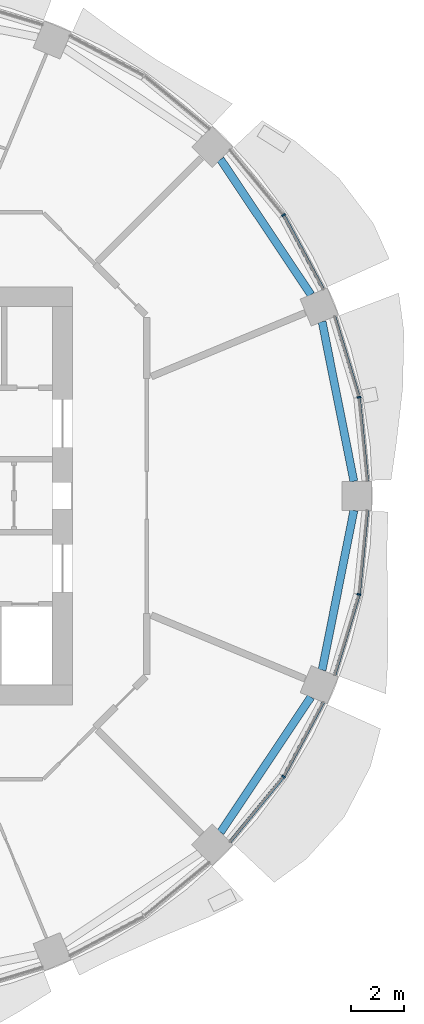
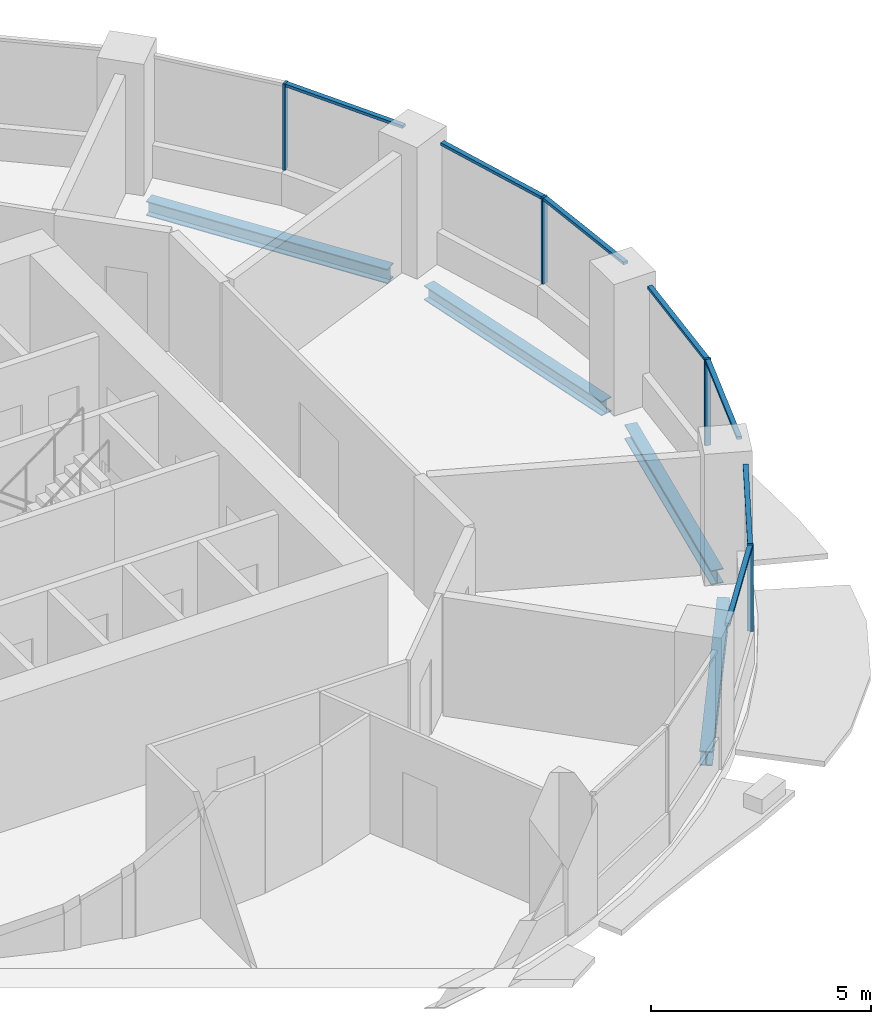
# One storey, part 4 of 14: 11 members, 4 beams, 4 elements without a shape of their own.
"""IFC4 building model written with IfcOpenShell, lengths in metres."""

from ifc_helpers import new_model, si_unit, direction, frame, origin, origin_2d, place, context, subcontext, project, spatial, rectangle, i_section, extrude, material, material_profile, profile_set, type_object, element, aggregate, save


model = new_model("IFC4")

# Units and contexts
model_context = context("Model", 3, precision=1e-05, world=origin(), true_north=direction((0.0, 1.0)))
body_context = subcontext(model_context, "Body", "Model", "MODEL_VIEW")
ifc_project = project(units=[si_unit("LENGTHUNIT", "METRE"), si_unit("AREAUNIT", "SQUARE_METRE"), si_unit("VOLUMEUNIT", "CUBIC_METRE"), si_unit("PLANEANGLEUNIT", "RADIAN"), si_unit("MASSUNIT", "GRAM", prefix="KILO")], contexts=[model_context])

# Site, building, storey
site_placement = place(None, origin())
site = spatial("IfcSite", under=ifc_project, at=site_placement, CompositionType="ELEMENT")
building_placement = place(site_placement, origin())
building = spatial("IfcBuilding", under=site, at=building_placement, Name="Polderwave Tower", CompositionType="ELEMENT")
storey_placement = place(building_placement, frame((0.0, 0.0, 112.89990234375)))
storey = spatial("IfcBuildingStorey", under=building, at=storey_placement, Name="L29", CompositionType="ELEMENT", Elevation=112.89990234375)

# Curtain wall, member
ifc_material_1 = material(Name="Aluminium 6063-T6 and glass", Category="aluminium")
curtain_wall_type = type_object("IfcCurtainWallType", Name="Growing floor ribbon glazing wall", PredefinedType="NOTDEFINED", material=ifc_material_1)
curtain_wall_1_placement = place(storey_placement, origin())
curtain_wall_1 = element("IfcCurtainWall", 1, at=curtain_wall_1_placement, inside=storey, type_object=curtain_wall_type, Name="CW2 L29 00", PredefinedType="NOTDEFINED")
ifc_material_2 = material(Name="Aluminium 6063-T6", Category="aluminium")
ifc_material_profile_1 = material_profile(ifc_material_2, rectangle(XDim=0.14990234375, YDim=0.06005859375, at=origin_2d()), Name="AL 60x150")
ifc_profile_set_1 = profile_set([ifc_material_profile_1], Name="Aluminium 6063-T6")
member_type_1 = type_object("IfcMemberType", Name="Growing floor ribbon glazing mullion 60x150", PredefinedType="MULLION", material=ifc_profile_set_1)
member_1_placement = place(storey_placement, frame((18.6640625, 3.712890625, 0.900146484375), z_axis=(0.0, 0.0, 1.0), x_axis=(-0.980784939905, -0.195092033809, 0.0)))
member_1 = element("IfcMember", 2, at=member_1_placement, type_object=member_type_1, Name="CW2 mullion 1", PredefinedType="MULLION", context=body_context, shape_type="SweptSolid", body=[
    extrude(rectangle(XDim=0.14990234375, YDim=0.06005859375, at=origin_2d()), origin(), (0.0, 0.0, 1.0), 2.39990234375),
])

curtain_wall_2_placement = place(storey_placement, origin())
curtain_wall_2 = element("IfcCurtainWall", 3, at=curtain_wall_2_placement, inside=storey, type_object=curtain_wall_type, Name="CW2 L29 01", PredefinedType="NOTDEFINED")
member_2_placement = place(storey_placement, frame((15.822998046875, 10.572998046875, 0.900146484375), z_axis=(0.0, 0.0, 1.0), x_axis=(-0.831459915646, -0.555584744817, 0.0)))
member_2 = element("IfcMember", 4, at=member_2_placement, type_object=member_type_1, Name="CW2 mullion 1", PredefinedType="MULLION", context=body_context, shape_type="SweptSolid", body=[
    extrude(rectangle(XDim=0.14990234375, YDim=0.06005859375, at=origin_2d()), origin(), (0.0, 0.0, 1.0), 2.39990234375),
])

curtain_wall_3_placement = place(storey_placement, origin())
curtain_wall_3 = element("IfcCurtainWall", 5, at=curtain_wall_3_placement, inside=storey, type_object=curtain_wall_type, Name="CW2 L29 14", PredefinedType="NOTDEFINED")
member_3_placement = place(storey_placement, frame((15.822998046875, -10.572998046875, 0.900146484375), z_axis=(0.0, 0.0, 1.0), x_axis=(-0.831459915646, 0.555584744817, 0.0)))
member_3 = element("IfcMember", 6, at=member_3_placement, type_object=member_type_1, Name="CW2 mullion 1", PredefinedType="MULLION", context=body_context, shape_type="SweptSolid", body=[
    extrude(rectangle(XDim=0.14990234375, YDim=0.06005859375, at=origin_2d()), origin(), (0.0, 0.0, 1.0), 2.39990234375),
])

curtain_wall_4_placement = place(storey_placement, origin())
curtain_wall_4 = element("IfcCurtainWall", 7, at=curtain_wall_4_placement, inside=storey, type_object=curtain_wall_type, Name="CW2 L29 15", PredefinedType="NOTDEFINED")
member_4_placement = place(storey_placement, frame((18.6640625, -3.712890625, 0.900146484375), z_axis=(0.0, 0.0, 1.0), x_axis=(-0.980784939905, 0.195092033809, 0.0)))
member_4 = element("IfcMember", 8, at=member_4_placement, type_object=member_type_1, Name="CW2 mullion 1", PredefinedType="MULLION", context=body_context, shape_type="SweptSolid", body=[
    extrude(rectangle(XDim=0.14990234375, YDim=0.06005859375, at=origin_2d()), origin(), (0.0, 0.0, 1.0), 2.39990234375),
])

# Member
ifc_material_profile_2 = material_profile(ifc_material_2, rectangle(XDim=0.1201171875, YDim=0.080078125, at=origin_2d()), Name="AL 80x120")
ifc_profile_set_2 = profile_set([ifc_material_profile_2], Name="Aluminium 6063-T6")
member_type_2 = type_object("IfcMemberType", Name="Growing floor ribbon glazing transom 80x120", PredefinedType="USERDEFINED", material=ifc_profile_set_2)
member_5_placement = place(storey_placement, frame((18.97607421875, 0.550048828125, 3.260009765625), z_axis=(-0.098175338745, 0.995169132792, 0.0), x_axis=(-0.995169132792, -0.098175338745, 0.0)))
member_5 = element("IfcMember", 9, at=member_5_placement, type_object=member_type_2, Name="CW2 transom 1", ObjectType="TRANSOM", PredefinedType="USERDEFINED", context=body_context, shape_type="SweptSolid", body=[
    extrude(rectangle(XDim=0.1201171875, YDim=0.080078125, at=origin_2d()), origin(), (0.0, 0.0, 1.0), 3.148193359375),
])

member_6_placement = place(storey_placement, frame((18.6552734375, 3.74169921875, 3.260009765625), z_axis=(-0.290164540356, 0.956976770627, 0.0), x_axis=(-0.956976770627, -0.290164540356, 0.0)))
member_6 = element("IfcMember", 10, at=member_6_placement, type_object=member_type_2, Name="CW2 transom 2", ObjectType="TRANSOM", PredefinedType="USERDEFINED", context=body_context, shape_type="SweptSolid", body=[
    extrude(rectangle(XDim=0.1201171875, YDim=0.080078125, at=origin_2d()), origin(), (0.0, 0.0, 1.0), 3.147705078125),
])

aggregate(curtain_wall_1, [member_1, member_5, member_6])

member_7_placement = place(storey_placement, frame((17.321044921875, 7.77001953125, 3.260009765625), z_axis=(-0.471368950997, 0.88193611562, 0.0), x_axis=(-0.88193611562, -0.471368950997, 0.0)))
member_7 = element("IfcMember", 11, at=member_7_placement, type_object=member_type_2, Name="CW2 transom 1", ObjectType="TRANSOM", PredefinedType="USERDEFINED", context=body_context, shape_type="SweptSolid", body=[
    extrude(rectangle(XDim=0.1201171875, YDim=0.080078125, at=origin_2d()), origin(), (0.0, 0.0, 1.0), 3.14794921875),
])

aggregate(curtain_wall_2, [member_2, member_7])

member_8_placement = place(storey_placement, frame((13.806884765625, -13.029052734375, 3.260009765625), z_axis=(0.634483003965, 0.77293681351, 0.0), x_axis=(-0.77293681351, 0.634483003965, 0.0)))
member_8 = element("IfcMember", 12, at=member_8_placement, type_object=member_type_2, Name="CW2 transom 1", ObjectType="TRANSOM", PredefinedType="USERDEFINED", context=body_context, shape_type="SweptSolid", body=[
    extrude(rectangle(XDim=0.1201171875, YDim=0.080078125, at=origin_2d()), origin(), (0.0, 0.0, 1.0), 3.1474609375),
])

member_9_placement = place(storey_placement, frame((15.837158203125, -10.54638671875, 3.260009765625), z_axis=(0.471368950997, 0.88193611562, 0.0), x_axis=(-0.88193611562, 0.471368950997, 0.0)))
member_9 = element("IfcMember", 13, at=member_9_placement, type_object=member_type_2, Name="CW2 transom 2", ObjectType="TRANSOM", PredefinedType="USERDEFINED", context=body_context, shape_type="SweptSolid", body=[
    extrude(rectangle(XDim=0.1201171875, YDim=0.080078125, at=origin_2d()), origin(), (0.0, 0.0, 1.0), 3.14794921875),
])

aggregate(curtain_wall_3, [member_3, member_8, member_9])

member_10_placement = place(storey_placement, frame((17.741943359375, -6.75390625, 3.260009765625), z_axis=(0.290164540356, 0.956976770627, 0.0), x_axis=(-0.956976770627, 0.290164540356, 0.0)))
member_10 = element("IfcMember", 14, at=member_10_placement, type_object=member_type_2, Name="CW2 transom 1", ObjectType="TRANSOM", PredefinedType="USERDEFINED", context=body_context, shape_type="SweptSolid", body=[
    extrude(rectangle(XDim=0.1201171875, YDim=0.080078125, at=origin_2d()), origin(), (0.0, 0.0, 1.0), 3.147705078125),
])

member_11_placement = place(storey_placement, frame((18.6669921875, -3.68310546875, 3.260009765625), z_axis=(0.098175338745, 0.995169132792, 0.0), x_axis=(-0.995169132792, 0.098175338745, 0.0)))
member_11 = element("IfcMember", 15, at=member_11_placement, type_object=member_type_2, Name="CW2 transom 2", ObjectType="TRANSOM", PredefinedType="USERDEFINED", context=body_context, shape_type="SweptSolid", body=[
    extrude(rectangle(XDim=0.1201171875, YDim=0.080078125, at=origin_2d()), origin(), (0.0, 0.0, 1.0), 3.148193359375),
])

aggregate(curtain_wall_4, [member_4, member_10, member_11])

# Beams
ifc_material_3 = material(Name="Steel S355", Category="steel")
ifc_material_profile_3 = material_profile(ifc_material_3, i_section(OverallWidth=0.300048828125, OverallDepth=0.39990234375, WebThickness=0.013427734375, FlangeThickness=0.02392578125, at=origin_2d()), Name="HE 400 B")
ifc_profile_set_3 = profile_set([ifc_material_profile_3], Name="Steel S355")
beam_type = type_object("IfcBeamType", Name="RING BEAM HE 400 B", PredefinedType="BEAM", material=ifc_profile_set_3)
beam_1_placement = place(storey_placement, frame((18.470703125, 0.550048828125, -0.5498046875), z_axis=(-0.195097041699, 0.980783943751, 0.0), x_axis=(-0.980783943751, -0.195097041699, 0.0)))
element("IfcBeam", 16, at=beam_1_placement, inside=storey, type_object=beam_type, Name="ST-RB-L29-00", PredefinedType="BEAM", context=body_context, shape_type="SweptSolid", body=[
    extrude(i_section(OverallWidth=0.300048828125, OverallDepth=0.39990234375, WebThickness=0.013427734375, FlangeThickness=0.02392578125, at=origin_2d()), origin(), (0.0, 0.0, 1.0), 6.1279296875),
])
for number, where, z_axis, x_axis, name in (
    (17, (16.854248046875, 7.576416015625, -0.5498046875), (-0.555554909675, 0.83147985083, 0.0), (-0.83147985083, -0.555554909675, 0.0), "ST-RB-L29-01"),
    (18, (13.44970703125, -12.671875, -0.5498046875), (0.555554909675, 0.83147985083, 0.0), (-0.83147985083, 0.555554909675, 0.0), "ST-RB-L29-14"),
):
    element("IfcBeam", number, at=place(storey_placement, frame(where, z_axis=z_axis, x_axis=x_axis)), inside=storey, type_object=beam_type, Name=name, PredefinedType="BEAM", context=body_context, shape_type="SweptSolid", body=[
        extrude(i_section(OverallWidth=0.300048828125, OverallDepth=0.39990234375, WebThickness=0.013427734375, FlangeThickness=0.02392578125, at=origin_2d()), origin(), (0.0, 0.0, 1.0), 6.128173828125),
    ])
beam_2_placement = place(storey_placement, frame((17.275146484375, -6.560302734375, -0.5498046875), z_axis=(0.195097041699, 0.980783943751, 0.0), x_axis=(-0.980783943751, 0.195097041699, 0.0)))
element("IfcBeam", 19, at=beam_2_placement, inside=storey, type_object=beam_type, Name="ST-RB-L29-15", PredefinedType="BEAM", context=body_context, shape_type="SweptSolid", body=[
    extrude(i_section(OverallWidth=0.300048828125, OverallDepth=0.39990234375, WebThickness=0.013427734375, FlangeThickness=0.02392578125, at=origin_2d()), origin(), (0.0, 0.0, 1.0), 6.1279296875),
])

save(model, "model.ifc")
